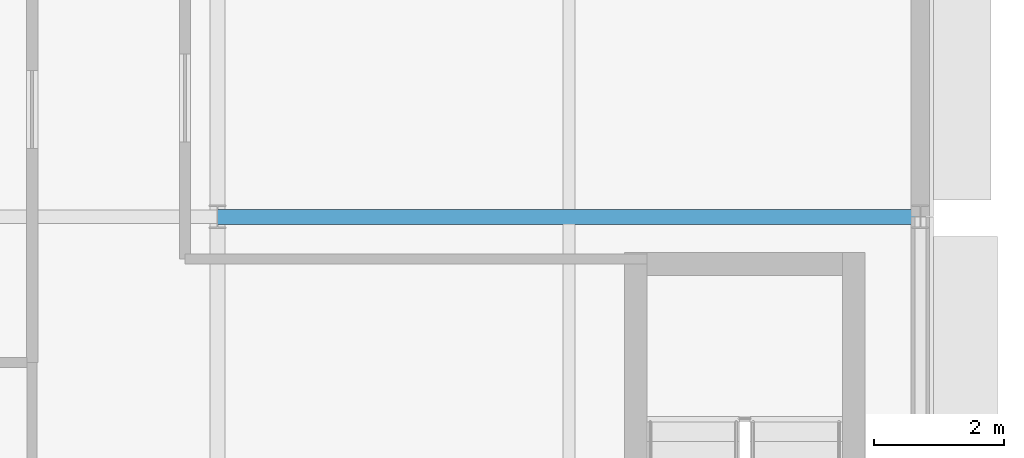
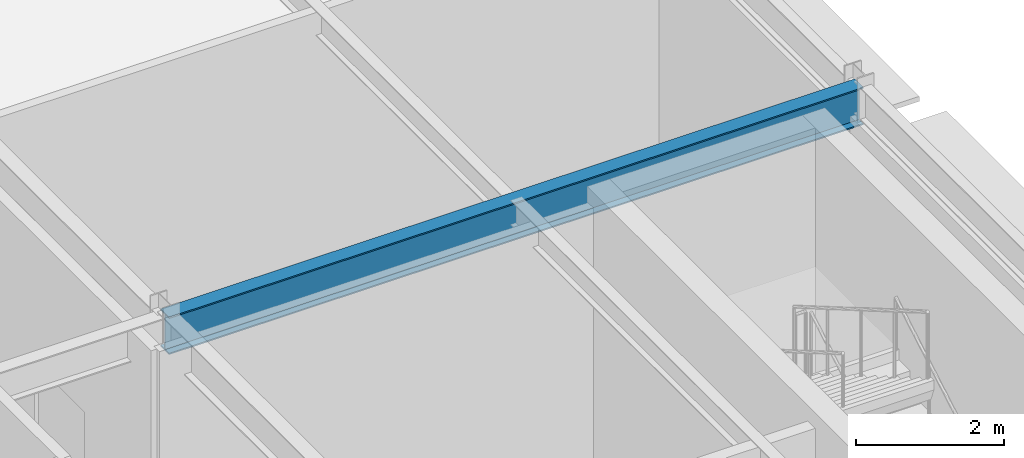
# One storey, part 7 of 17: 1 beam.
"""IFC4 building model written with IfcOpenShell, lengths in metres."""

from ifc_helpers import new_model, si_unit, direction, frame, origin, origin_2d, place, context, subcontext, project, spatial, i_section, extrude, material, material_profile, profile_set, type_object, element, save


model = new_model("IFC4")

# Units and contexts
model_context = context("Model", 3, precision=1e-05, world=origin(), true_north=direction((0.0, 1.0)))
body_context = subcontext(model_context, "Body", "Model", "MODEL_VIEW")
ifc_project = project(units=[si_unit("LENGTHUNIT", "METRE"), si_unit("AREAUNIT", "SQUARE_METRE"), si_unit("VOLUMEUNIT", "CUBIC_METRE"), si_unit("PLANEANGLEUNIT", "RADIAN"), si_unit("MASSUNIT", "GRAM", prefix="KILO")], contexts=[model_context])

# Site, building, storey
site_placement = place(None, origin())
site = spatial("IfcSite", under=ifc_project, at=site_placement, CompositionType="ELEMENT")
building_placement = place(site_placement, origin())
building = spatial("IfcBuilding", under=site, at=building_placement, Name="Almandine Court Research Institute", CompositionType="ELEMENT")
storey_placement = place(building_placement, frame((0.0, 0.0, 32.550048828125)))
storey = spatial("IfcBuildingStorey", under=building, at=storey_placement, Name="L07", CompositionType="ELEMENT", Elevation=32.550048828125)

# Beam
ifc_material = material(Name="Steel ASTM A992 Grade 50", Category="steel")
ifc_material_profile = material_profile(ifc_material, i_section(OverallWidth=0.22998046875, OverallDepth=0.616943359375, WebThickness=0.012939453125, FlangeThickness=0.02197265625, at=origin_2d()), Name="W610x140")
ifc_profile_set = profile_set([ifc_material_profile], Name="Steel ASTM A992 Grade 50")
beam_type = type_object("IfcBeamType", Name="Beam-G-02", PredefinedType="BEAM", material=ifc_profile_set)
beam_placement = place(storey_placement, frame((163.199951171875, 57.60009765625, 4.013916015625), z_axis=(1.0, 0.0, 0.0), x_axis=(0.0, 1.0, 0.0)))
element("IfcBeam", 1, at=beam_placement, inside=storey, type_object=beam_type, Name="L07 V4 Primary X Girder", PredefinedType="BEAM", context=body_context, shape_type="SweptSolid", body=[
    extrude(i_section(OverallWidth=0.22998046875, OverallDepth=0.616943359375, WebThickness=0.012939453125, FlangeThickness=0.02197265625, at=origin_2d()), origin(), (0.0, 0.0, 1.0), 10.800048828125),
])

save(model, "model.ifc")
